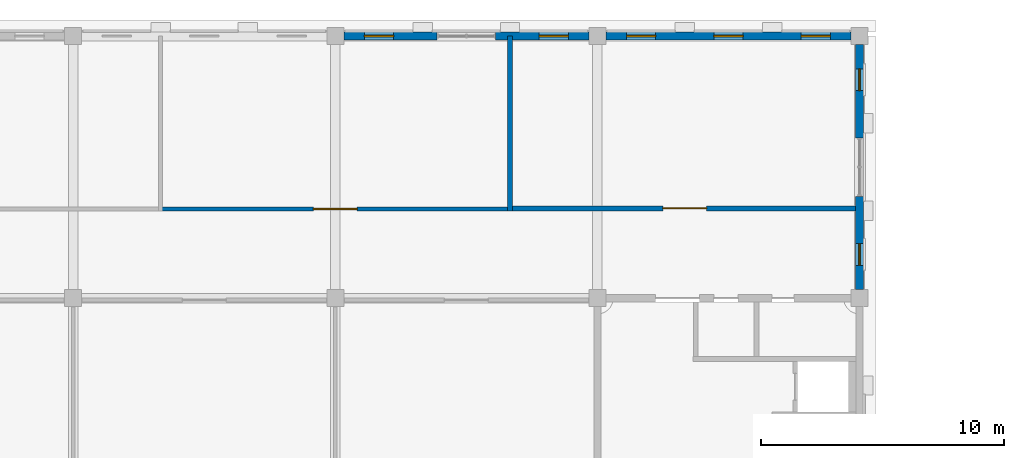
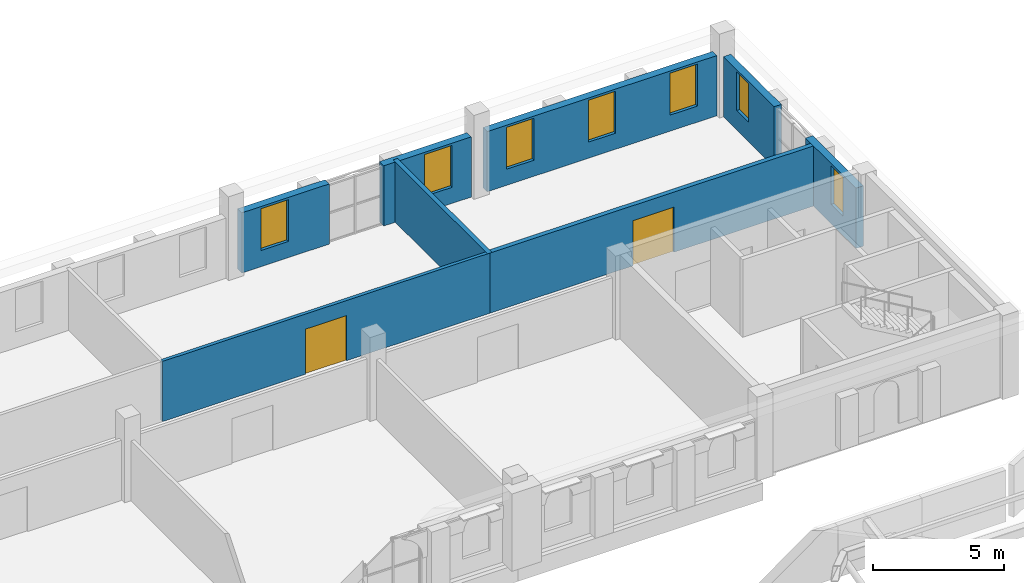
# One storey, part 24 of 32: 8 walls, 7 windows, 2 doors, 9 openings.
"""IFC4 building model written with IfcOpenShell, lengths in metres."""

from ifc_helpers import new_model, si_unit, direction, frame, frame_2d, origin, place, context, subcontext, project, spatial, rectangle, extrude, material, layer, layer_set, type_object, element, fill, save


model = new_model("IFC4")

# Units and contexts
model_context = context("Model", 3, precision=1e-05, world=origin(), true_north=direction((0.0, 1.0)))
body_context = subcontext(model_context, "Body", "Model", "MODEL_VIEW")
ifc_project = project(units=[si_unit("LENGTHUNIT", "METRE"), si_unit("AREAUNIT", "SQUARE_METRE"), si_unit("VOLUMEUNIT", "CUBIC_METRE"), si_unit("PLANEANGLEUNIT", "RADIAN"), si_unit("MASSUNIT", "GRAM", prefix="KILO")], contexts=[model_context])

# Site, building, storey
site_placement = place(None, origin())
site = spatial("IfcSite", under=ifc_project, at=site_placement, CompositionType="ELEMENT")
building_placement = place(site_placement, origin())
building = spatial("IfcBuilding", under=site, at=building_placement, Name="Magnolia Steps Interchange", CompositionType="ELEMENT")
storey_placement = place(building_placement, frame((0.0, 0.0, 16.5)))
storey = spatial("IfcBuildingStorey", under=building, at=storey_placement, Name="L04", CompositionType="ELEMENT", Elevation=16.5)

# Wall, opening, door
ifc_material_1 = material(Name="Fair-faced blockwork", Category="masonry")
ifc_layer_1 = layer(ifc_material_1, 0.199951171875)
ifc_layer_set_1 = layer_set([ifc_layer_1], Name="Fire partition wall 200")
wall_type_1 = type_object("IfcWallType", Name="Fire partition wall 200", PredefinedType="PARTITIONING", material=ifc_layer_set_1)
wall_1_placement = place(storey_placement, frame((103.60009765625, 110.89990234375, 0.0), z_axis=(0.0, 0.0, 1.0), x_axis=(1.0, 0.0, 0.0)))
wall_1 = element("IfcWall", 1, at=wall_1_placement, inside=storey, type_object=wall_type_1, Name="L04 partition 6", PredefinedType="PARTITIONING", context=body_context, shape_type="SweptSolid", body=[
    extrude(rectangle(XDim=14.39990234375, YDim=0.199951171875, at=frame_2d((7.199951171875, 0.0))), origin(), (0.0, 0.0, 1.0), 2.800048828125),
])
opening_1_placement = place(wall_1_placement, frame((6.300048828125, 0.0, 0.0)))
opening_1 = element("IfcOpeningElement", 2, at=opening_1_placement, cuts=wall_1, Name="Opening D-L04-6", PredefinedType="OPENING", context=body_context, shape_type="SweptSolid", body=[
    extrude(rectangle(XDim=1.800048828125, YDim=2.10009765625, at=frame_2d((0.89990234375, 1.050048828125))), frame((0.0, 0.10986328125, 0.0), z_axis=(0.0, -1.0, 0.0), x_axis=(1.0, 0.0, 0.0)), (0.0, 0.0, 1.0), 0.219970703125),
])
ifc_material_2 = material(Name="Painted steel", Category="steel")
door_type_1 = type_object("IfcDoorType", Name="Plant room door pair 1800x2100", OperationType="DOUBLE_DOOR_DOUBLE_SWING", PredefinedType="DOOR", material=ifc_material_2)
door_1_placement = place(opening_1_placement, origin())
door_1 = element("IfcDoor", 3, at=door_1_placement, inside=storey, type_object=door_type_1, Name="Document Archive door", OperationType="DOUBLE_DOOR_DOUBLE_SWING", OverallHeight=2.10009765625, OverallWidth=1.800048828125, PredefinedType="DOOR", context=body_context, shape_type="SweptSolid", body=[
    extrude(rectangle(XDim=1.800048828125, YDim=2.10009765625, at=frame_2d((0.89990234375, 1.050048828125))), frame((0.0, 0.02490234375, 0.0), z_axis=(0.0, -1.0, 0.0), x_axis=(1.0, 0.0, 0.0)), (0.0, 0.0, 1.0), 0.050048828125),
])
fill(opening_1, door_1)

# Wall
wall_2_placement = place(storey_placement, frame((103.60009765625, 110.800048828125, 0.0), z_axis=(0.0, 0.0, 1.0), x_axis=(0.0, 1.0, 0.0)))
element("IfcWall", 4, at=wall_2_placement, inside=storey, type_object=wall_type_1, Name="L04 partition 10", PredefinedType="PARTITIONING", context=body_context, shape_type="SweptSolid", body=[
    extrude(rectangle(XDim=7.199951171875, YDim=0.199951171875, at=frame_2d((3.60009765625, 0.0))), origin(), (0.0, 0.0, 1.0), 2.800048828125),
])

# Wall, opening, window
ifc_material_3 = material(Name="Lime render on masonry", Category="masonry")
ifc_layer_2 = layer(ifc_material_3, 0.324951171875)
ifc_layer_set_2 = layer_set([ifc_layer_2], Name="Lime render wall 325")
wall_type_2 = type_object("IfcWallType", Name="Lime render wall 325", PredefinedType="SOLIDWALL", material=ifc_layer_set_2)
wall_3_placement = place(storey_placement, frame((96.75, 118.0, 0.0), z_axis=(0.0, 0.0, 1.0), x_axis=(1.0, 0.0, 0.0)))
wall_3 = element("IfcWall", 5, at=wall_3_placement, inside=storey, type_object=wall_type_2, Name="Operations building north wall L04 pier 3", PredefinedType="SOLIDWALL", context=body_context, shape_type="SweptSolid", body=[
    extrude(rectangle(XDim=3.85009765625, YDim=0.324951171875, at=frame_2d((1.925048828125, 0.0))), origin(), (0.0, 0.0, 1.0), 2.800048828125),
])
opening_2_placement = place(wall_3_placement, frame((0.85009765625, 0.0, 0.75)))
opening_2 = element("IfcOpeningElement", 6, at=opening_2_placement, cuts=wall_3, Name="Opening WN1", PredefinedType="OPENING", context=body_context, shape_type="SweptSolid", body=[
    extrude(rectangle(XDim=1.199951171875, YDim=1.949951171875, at=frame_2d((0.60009765625, 0.97509765625))), frame((0.0, 0.17236328125, 0.0), z_axis=(0.0, -1.0, 0.0), x_axis=(1.0, 0.0, 0.0)), (0.0, 0.0, 1.0), 0.344970703125),
])
ifc_material_4 = material(Name="Timber frame with double glazing", Category="wood")
window_type_1 = type_object("IfcWindowType", Name="Tall window 1200 x 1950", PartitioningType="DOUBLE_PANEL_VERTICAL", PredefinedType="WINDOW", material=ifc_material_4)
window_1_placement = place(opening_2_placement, origin())
window_1 = element("IfcWindow", 7, at=window_1_placement, inside=storey, type_object=window_type_1, Name="Window L04 north 10", OverallHeight=1.949951171875, OverallWidth=1.199951171875, PartitioningType="SINGLE_PANEL", PredefinedType="WINDOW", context=body_context, shape_type="SweptSolid", body=[
    extrude(rectangle(XDim=1.199951171875, YDim=1.949951171875, at=frame_2d((0.60009765625, 0.97509765625))), frame((0.0, 0.030029296875, 0.0), z_axis=(0.0, -1.0, 0.0), x_axis=(1.0, 0.0, 0.0)), (0.0, 0.0, 1.0), 0.06005859375),
])
fill(opening_2, window_1)

wall_4_placement = place(storey_placement, frame((103.0, 118.0, 0.0), z_axis=(0.0, 0.0, 1.0), x_axis=(1.0, 0.0, 0.0)))
wall_4 = element("IfcWall", 8, at=wall_4_placement, inside=storey, type_object=wall_type_2, Name="Operations building north wall L04 pier 5", PredefinedType="SOLIDWALL", context=body_context, shape_type="SweptSolid", body=[
    extrude(rectangle(XDim=3.85009765625, YDim=0.324951171875, at=frame_2d((1.925048828125, 0.0))), origin(), (0.0, 0.0, 1.0), 2.800048828125),
])
opening_3_placement = place(wall_4_placement, frame((1.800048828125, 0.0, 0.75)))
opening_3 = element("IfcOpeningElement", 9, at=opening_3_placement, cuts=wall_4, Name="Opening WN1", PredefinedType="OPENING", context=body_context, shape_type="SweptSolid", body=[
    extrude(rectangle(XDim=1.199951171875, YDim=1.949951171875, at=frame_2d((0.60009765625, 0.97509765625))), frame((0.0, 0.17236328125, 0.0), z_axis=(0.0, -1.0, 0.0), x_axis=(1.0, 0.0, 0.0)), (0.0, 0.0, 1.0), 0.344970703125),
])
window_2_placement = place(opening_3_placement, origin())
window_2 = element("IfcWindow", 10, at=window_2_placement, inside=storey, type_object=window_type_1, Name="Window L04 north 12", OverallHeight=1.949951171875, OverallWidth=1.199951171875, PartitioningType="SINGLE_PANEL", PredefinedType="WINDOW", context=body_context, shape_type="SweptSolid", body=[
    extrude(rectangle(XDim=1.199951171875, YDim=1.949951171875, at=frame_2d((0.60009765625, 0.97509765625))), frame((0.0, 0.030029296875, 0.0), z_axis=(0.0, -1.0, 0.0), x_axis=(1.0, 0.0, 0.0)), (0.0, 0.0, 1.0), 0.06005859375),
])
fill(opening_3, window_2)

# Wall, openings, windows
wall_5_placement = place(storey_placement, frame((107.550048828125, 118.0, 0.0), z_axis=(0.0, 0.0, 1.0), x_axis=(1.0, 0.0, 0.0)))
wall_5 = element("IfcWall", 11, at=wall_5_placement, inside=storey, type_object=wall_type_2, Name="Operations building north wall L04 pier 5", PredefinedType="SOLIDWALL", context=body_context, shape_type="SweptSolid", body=[
    extrude(rectangle(XDim=10.099853515625, YDim=0.324951171875, at=frame_2d((5.0498046875, 0.0))), origin(), (0.0, 0.0, 1.0), 2.800048828125),
])
opening_4_placement = place(wall_5_placement, frame((0.85009765625, 0.0, 0.75)))
opening_4 = element("IfcOpeningElement", 12, at=opening_4_placement, cuts=wall_5, Name="Opening WN1", PredefinedType="OPENING", context=body_context, shape_type="SweptSolid", body=[
    extrude(rectangle(XDim=1.199951171875, YDim=1.949951171875, at=frame_2d((0.60009765625, 0.97509765625))), frame((0.0, 0.17236328125, 0.0), z_axis=(0.0, -1.0, 0.0), x_axis=(1.0, 0.0, 0.0)), (0.0, 0.0, 1.0), 0.344970703125),
])
opening_5_placement = place(wall_5_placement, frame((4.449951171875, 0.0, 0.75)))
opening_5 = element("IfcOpeningElement", 13, at=opening_5_placement, cuts=wall_5, Name="Opening WN1", PredefinedType="OPENING", context=body_context, shape_type="SweptSolid", body=[
    extrude(rectangle(XDim=1.199951171875, YDim=1.949951171875, at=frame_2d((0.60009765625, 0.97509765625))), frame((0.0, 0.17236328125, 0.0), z_axis=(0.0, -1.0, 0.0), x_axis=(1.0, 0.0, 0.0)), (0.0, 0.0, 1.0), 0.344970703125),
])
opening_6_placement = place(wall_5_placement, frame((8.050048828125, 0.0, 0.75)))
opening_6 = element("IfcOpeningElement", 14, at=opening_6_placement, cuts=wall_5, Name="Opening WN1", PredefinedType="OPENING", context=body_context, shape_type="SweptSolid", body=[
    extrude(rectangle(XDim=1.199951171875, YDim=1.949951171875, at=frame_2d((0.60009765625, 0.97509765625))), frame((0.0, 0.17236328125, 0.0), z_axis=(0.0, -1.0, 0.0), x_axis=(1.0, 0.0, 0.0)), (0.0, 0.0, 1.0), 0.344970703125),
])
window_3_placement = place(opening_4_placement, origin())
window_3 = element("IfcWindow", 15, at=window_3_placement, inside=storey, type_object=window_type_1, Name="Window L04 north 13", OverallHeight=1.949951171875, OverallWidth=1.199951171875, PartitioningType="SINGLE_PANEL", PredefinedType="WINDOW", context=body_context, shape_type="SweptSolid", body=[
    extrude(rectangle(XDim=1.199951171875, YDim=1.949951171875, at=frame_2d((0.60009765625, 0.97509765625))), frame((0.0, 0.030029296875, 0.0), z_axis=(0.0, -1.0, 0.0), x_axis=(1.0, 0.0, 0.0)), (0.0, 0.0, 1.0), 0.06005859375),
])
fill(opening_4, window_3)
window_4_placement = place(opening_5_placement, origin())
window_4 = element("IfcWindow", 16, at=window_4_placement, inside=storey, type_object=window_type_1, Name="Window L04 north 14", OverallHeight=1.949951171875, OverallWidth=1.199951171875, PartitioningType="SINGLE_PANEL", PredefinedType="WINDOW", context=body_context, shape_type="SweptSolid", body=[
    extrude(rectangle(XDim=1.199951171875, YDim=1.949951171875, at=frame_2d((0.60009765625, 0.97509765625))), frame((0.0, 0.030029296875, 0.0), z_axis=(0.0, -1.0, 0.0), x_axis=(1.0, 0.0, 0.0)), (0.0, 0.0, 1.0), 0.06005859375),
])
fill(opening_5, window_4)
window_5_placement = place(opening_6_placement, origin())
window_5 = element("IfcWindow", 17, at=window_5_placement, inside=storey, type_object=window_type_1, Name="Window L04 north 15", OverallHeight=1.949951171875, OverallWidth=1.199951171875, PartitioningType="SINGLE_PANEL", PredefinedType="WINDOW", context=body_context, shape_type="SweptSolid", body=[
    extrude(rectangle(XDim=1.199951171875, YDim=1.949951171875, at=frame_2d((0.60009765625, 0.97509765625))), frame((0.0, 0.030029296875, 0.0), z_axis=(0.0, -1.0, 0.0), x_axis=(1.0, 0.0, 0.0)), (0.0, 0.0, 1.0), 0.06005859375),
])
fill(opening_6, window_5)

# Wall, opening, window
wall_6_placement = place(storey_placement, frame((118.0, 107.550048828125, 0.0), z_axis=(0.0, 0.0, 1.0), x_axis=(0.0, 1.0, 0.0)))
wall_6 = element("IfcWall", 18, at=wall_6_placement, inside=storey, type_object=wall_type_2, Name="Operations building east wall L04 pier 1", PredefinedType="SOLIDWALL", context=body_context, shape_type="SweptSolid", body=[
    extrude(rectangle(XDim=3.849853515625, YDim=0.324951171875, at=frame_2d((1.9248046875, 0.0))), origin(), (0.0, 0.0, 1.0), 2.800048828125),
])
opening_7_placement = place(wall_6_placement, frame((1.0, 0.0, 0.89990234375)))
opening_7 = element("IfcOpeningElement", 19, at=opening_7_placement, cuts=wall_6, Name="Opening WN11", PredefinedType="OPENING", context=body_context, shape_type="SweptSolid", body=[
    extrude(rectangle(XDim=0.89990234375, YDim=1.800048828125, at=frame_2d((0.449951171875, 0.89990234375))), frame((0.0, 0.17236328125, 0.0), z_axis=(0.0, -1.0, 0.0), x_axis=(1.0, 0.0, 0.0)), (0.0, 0.0, 1.0), 0.344970703125),
])
ifc_material_5 = material(Name="Timber frame with double glazing", Category="wood")
window_type_2 = type_object("IfcWindowType", Name="Gable end window 900 x 1800", PartitioningType="SINGLE_PANEL", PredefinedType="WINDOW", material=ifc_material_5)
window_6_placement = place(opening_7_placement, origin())
window_6 = element("IfcWindow", 20, at=window_6_placement, inside=storey, type_object=window_type_2, Name="Window L04 east 1", OverallHeight=1.800048828125, OverallWidth=0.89990234375, PartitioningType="SINGLE_PANEL", PredefinedType="WINDOW", context=body_context, shape_type="SweptSolid", body=[
    extrude(rectangle(XDim=0.89990234375, YDim=1.800048828125, at=frame_2d((0.449951171875, 0.89990234375))), frame((0.0, 0.030029296875, 0.0), z_axis=(0.0, -1.0, 0.0), x_axis=(1.0, 0.0, 0.0)), (0.0, 0.0, 1.0), 0.06005859375),
])
fill(opening_7, window_6)

wall_7_placement = place(storey_placement, frame((118.0, 113.800048828125, 0.0), z_axis=(0.0, 0.0, 1.0), x_axis=(0.0, 1.0, 0.0)))
wall_7 = element("IfcWall", 21, at=wall_7_placement, inside=storey, type_object=wall_type_2, Name="Operations building east wall L04 pier 3", PredefinedType="SOLIDWALL", context=body_context, shape_type="SweptSolid", body=[
    extrude(rectangle(XDim=3.849853515625, YDim=0.324951171875, at=frame_2d((1.9248046875, 0.0))), origin(), (0.0, 0.0, 1.0), 2.800048828125),
])
opening_8_placement = place(wall_7_placement, frame((1.949951171875, 0.0, 0.89990234375)))
opening_8 = element("IfcOpeningElement", 22, at=opening_8_placement, cuts=wall_7, Name="Opening WN11", PredefinedType="OPENING", context=body_context, shape_type="SweptSolid", body=[
    extrude(rectangle(XDim=0.89990234375, YDim=1.800048828125, at=frame_2d((0.449951171875, 0.89990234375))), frame((0.0, 0.17236328125, 0.0), z_axis=(0.0, -1.0, 0.0), x_axis=(1.0, 0.0, 0.0)), (0.0, 0.0, 1.0), 0.344970703125),
])
window_7_placement = place(opening_8_placement, origin())
window_7 = element("IfcWindow", 23, at=window_7_placement, inside=storey, type_object=window_type_2, Name="Window L04 east 3", OverallHeight=1.800048828125, OverallWidth=0.89990234375, PartitioningType="SINGLE_PANEL", PredefinedType="WINDOW", context=body_context, shape_type="SweptSolid", body=[
    extrude(rectangle(XDim=0.89990234375, YDim=1.800048828125, at=frame_2d((0.449951171875, 0.89990234375))), frame((0.0, 0.030029296875, 0.0), z_axis=(0.0, -1.0, 0.0), x_axis=(1.0, 0.0, 0.0)), (0.0, 0.0, 1.0), 0.06005859375),
])
fill(opening_8, window_7)

# Wall, opening, door
ifc_material_6 = material(Name="Fair-faced blockwork", Category="masonry")
ifc_layer_3 = layer(ifc_material_6, 0.14990234375)
ifc_layer_set_3 = layer_set([ifc_layer_3], Name="Partition wall 150")
wall_type_3 = type_object("IfcWallType", Name="Partition wall 150", PredefinedType="PARTITIONING", material=ifc_layer_set_3)
wall_8_placement = place(storey_placement, frame((89.199951171875, 110.875, 0.0), z_axis=(0.0, 0.0, 1.0), x_axis=(1.0, 0.0, 0.0)))
wall_8 = element("IfcWall", 24, at=wall_8_placement, inside=storey, type_object=wall_type_3, Name="L04 partition 5", PredefinedType="PARTITIONING", context=body_context, shape_type="SweptSolid", body=[
    extrude(rectangle(XDim=14.400146484375, YDim=0.14990234375, at=frame_2d((7.2001953125, 0.0))), origin(), (0.0, 0.0, 1.0), 2.800048828125),
])
opening_9_placement = place(wall_8_placement, frame((6.300048828125, 0.0, 0.0)))
opening_9 = element("IfcOpeningElement", 25, at=opening_9_placement, cuts=wall_8, Name="Opening D-L04-5", PredefinedType="OPENING", context=body_context, shape_type="SweptSolid", body=[
    extrude(rectangle(XDim=1.800048828125, YDim=2.10009765625, at=frame_2d((0.89990234375, 1.050048828125))), frame((0.0, 0.0849609375, 0.0), z_axis=(0.0, -1.0, 0.0), x_axis=(1.0, 0.0, 0.0)), (0.0, 0.0, 1.0), 0.169921875),
])
ifc_material_7 = material(Name="Timber", Category="wood")
door_type_2 = type_object("IfcDoorType", Name="Room door pair 1800x2100", OperationType="DOUBLE_DOOR_DOUBLE_SWING", PredefinedType="DOOR", material=ifc_material_7)
door_2_placement = place(opening_9_placement, origin())
door_2 = element("IfcDoor", 26, at=door_2_placement, inside=storey, type_object=door_type_2, Name="Control Room Support Office door", OperationType="DOUBLE_DOOR_DOUBLE_SWING", OverallHeight=2.10009765625, OverallWidth=1.800048828125, PredefinedType="DOOR", context=body_context, shape_type="SweptSolid", body=[
    extrude(rectangle(XDim=1.800048828125, YDim=2.10009765625, at=frame_2d((0.89990234375, 1.050048828125))), frame((0.0, 0.02490234375, 0.0), z_axis=(0.0, -1.0, 0.0), x_axis=(1.0, 0.0, 0.0)), (0.0, 0.0, 1.0), 0.050048828125),
])
fill(opening_9, door_2)

save(model, "model.ifc")
